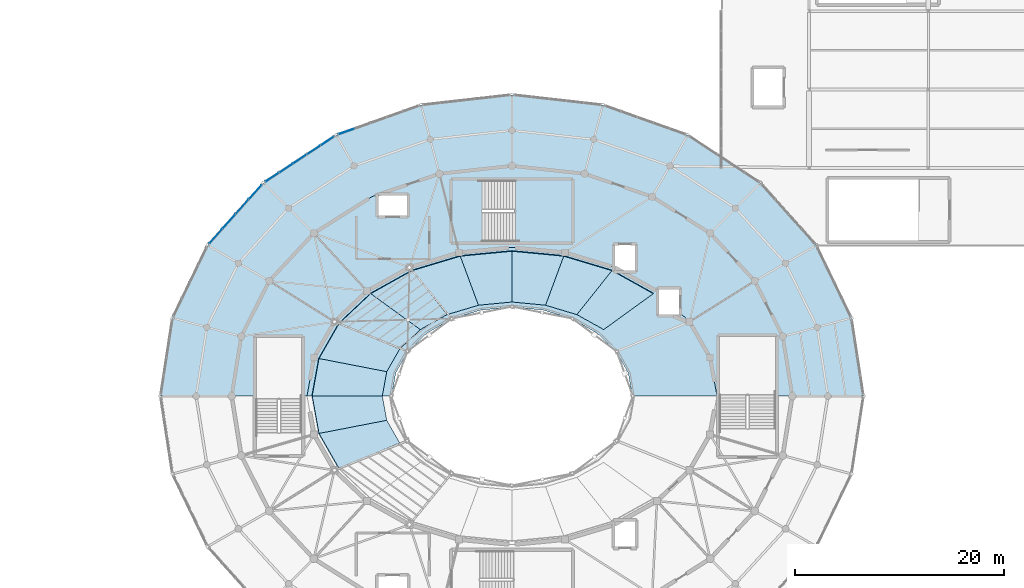
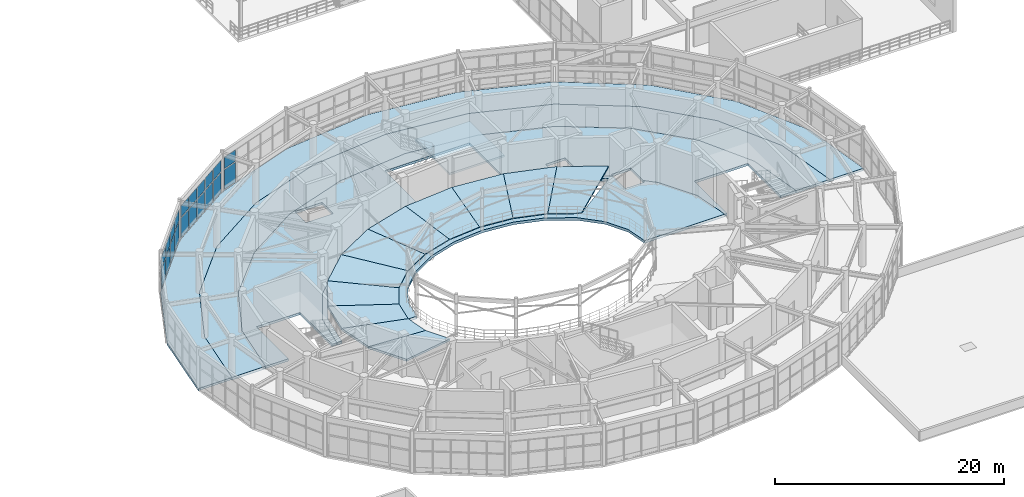
# One storey, part 75 of 112: 20 plates, 16 slabs, 4 elements without a shape of their own.
"""IFC4 building model written with IfcOpenShell, lengths in metres."""

from ifc_helpers import new_model, si_unit, direction, frame, origin, origin_2d, place, context, subcontext, project, spatial, polyline, rectangle, outline, extrude, material, layer, layer_set, type_object, element, aggregate, save


model = new_model("IFC4")

# Units and contexts
model_context = context("Model", 3, precision=1e-05, world=origin(), true_north=direction((0.0, 1.0)))
body_context = subcontext(model_context, "Body", "Model", "MODEL_VIEW")
ifc_project = project(units=[si_unit("LENGTHUNIT", "METRE"), si_unit("AREAUNIT", "SQUARE_METRE"), si_unit("VOLUMEUNIT", "CUBIC_METRE"), si_unit("PLANEANGLEUNIT", "RADIAN"), si_unit("MASSUNIT", "GRAM", prefix="KILO")], contexts=[model_context])

# Site, building, storey
site_placement = place(None, origin())
site = spatial("IfcSite", under=ifc_project, at=site_placement, CompositionType="ELEMENT")
building_placement = place(site_placement, origin())
building = spatial("IfcBuilding", under=site, at=building_placement, Name="Cinderbank Siding Concert Hall", CompositionType="ELEMENT")
storey_placement = place(building_placement, frame((0.0, 0.0, 10.199951171875)))
storey = spatial("IfcBuildingStorey", under=building, at=storey_placement, Name="L03", CompositionType="ELEMENT", Elevation=10.199951171875)

# Curtain wall, plates
ifc_material_1 = material(Name="Anodised aluminium alloy 6063-T6", Category="aluminium")
curtain_wall_type_1 = type_object("IfcCurtainWallType", Name="CW-08 Unitised Acoustic Curtain Wall 6400x3800", PredefinedType="NOTDEFINED", material=ifc_material_1)
curtain_wall_1_placement = place(storey_placement, origin())
curtain_wall_1 = element("IfcCurtainWall", 1, at=curtain_wall_1_placement, inside=storey, type_object=curtain_wall_type_1, Name="L03 Curtain Wall CW-08 #32", PredefinedType="NOTDEFINED")
ifc_material_2 = material(Name="Double-glazed laminated acoustic glass", Category="glass")
ifc_layer_1 = layer(ifc_material_2, 0.035888671875)
ifc_layer_set_1 = layer_set([ifc_layer_1], Name="Double-glazed laminated acoustic glass")
plate_type_1 = type_object("IfcPlateType", Name="CP-01 Glazed Curtain Panel 1800x2200", PredefinedType="CURTAIN_PANEL", material=ifc_layer_set_1)
plate_1_placement = place(storey_placement, frame((106.181396484375, 69.2900390625, 0.1201171875), z_axis=(0.0, 0.0, 1.0), x_axis=(-0.942365662238, -0.334584755532, 0.0)))
plate_1 = element("IfcPlate", 2, at=plate_1_placement, type_object=plate_type_1, Name="CW-L03-032 Glazed Panel 4-0", PredefinedType="CURTAIN_PANEL", context=body_context, shape_type="SweptSolid", body=[
    extrude(rectangle(XDim=1.529052734375, YDim=0.035888671875, at=origin_2d()), origin(), (0.0, 0.0, 1.0), 2.093505859375),
])
plate_2_placement = place(storey_placement, frame((106.181396484375, 69.2900390625, 2.333740234375), z_axis=(0.0, 0.0, 1.0), x_axis=(-0.942365662238, -0.334584755532, 0.0)))
plate_2 = element("IfcPlate", 3, at=plate_2_placement, type_object=plate_type_1, Name="CW-L03-032 Glazed Panel 4-1", PredefinedType="CURTAIN_PANEL", context=body_context, shape_type="SweptSolid", body=[
    extrude(rectangle(XDim=1.529052734375, YDim=0.035888671875, at=origin_2d()), origin(), (0.0, 0.0, 1.0), 1.21337890625),
])
aggregate(curtain_wall_1, [plate_1, plate_2])

curtain_wall_type_2 = type_object("IfcCurtainWallType", Name="CW-09 Unitised Acoustic Curtain Wall 8000x3500", PredefinedType="NOTDEFINED", material=ifc_material_1)
curtain_wall_2_placement = place(storey_placement, origin())
curtain_wall_2 = element("IfcCurtainWall", 4, at=curtain_wall_2_placement, inside=storey, type_object=curtain_wall_type_2, Name="L03 Curtain Wall CW-09 #33", PredefinedType="NOTDEFINED")
ifc_layer_2 = layer(ifc_material_2, 0.035888671875)
ifc_layer_set_2 = layer_set([ifc_layer_2], Name="Double-glazed laminated acoustic glass")
plate_type_2 = type_object("IfcPlateType", Name="CP-02 Glazed Curtain Panel 1800x1900", PredefinedType="CURTAIN_PANEL", material=ifc_layer_set_2)
plate_3_placement = place(storey_placement, frame((104.352294921875, 68.384033203125, 0.1201171875), z_axis=(0.0, 0.0, 1.0), x_axis=(-0.835491932304, -0.549502712509, 0.0)))
plate_3 = element("IfcPlate", 5, at=plate_3_placement, type_object=plate_type_2, Name="CW-L03-033 Glazed Panel 0-0", PredefinedType="CURTAIN_PANEL", context=body_context, shape_type="SweptSolid", body=[
    extrude(rectangle(XDim=1.47509765625, YDim=0.035888671875, at=origin_2d()), origin(), (0.0, 0.0, 1.0), 2.093505859375),
])
plate_4_placement = place(storey_placement, frame((104.352294921875, 68.384033203125, 2.333740234375), z_axis=(0.0, 0.0, 1.0), x_axis=(-0.835491932304, -0.549502712509, 0.0)))
plate_4 = element("IfcPlate", 6, at=plate_4_placement, type_object=plate_type_2, Name="CW-L03-033 Glazed Panel 0-1", PredefinedType="CURTAIN_PANEL", context=body_context, shape_type="SweptSolid", body=[
    extrude(rectangle(XDim=1.47509765625, YDim=0.035888671875, at=origin_2d()), origin(), (0.0, 0.0, 1.0), 1.21337890625),
])
plate_5_placement = place(storey_placement, frame((103.03662109375, 67.5185546875, 0.1201171875), z_axis=(0.0, 0.0, 1.0), x_axis=(-0.835491932304, -0.549502712509, 0.0)))
plate_5 = element("IfcPlate", 7, at=plate_5_placement, type_object=plate_type_2, Name="CW-L03-033 Glazed Panel 1-0", PredefinedType="CURTAIN_PANEL", context=body_context, shape_type="SweptSolid", body=[
    extrude(rectangle(XDim=1.47509765625, YDim=0.035888671875, at=origin_2d()), origin(), (0.0, 0.0, 1.0), 2.093505859375),
])
plate_6_placement = place(storey_placement, frame((103.03662109375, 67.5185546875, 2.333740234375), z_axis=(0.0, 0.0, 1.0), x_axis=(-0.835491932304, -0.549502712509, 0.0)))
plate_6 = element("IfcPlate", 8, at=plate_6_placement, type_object=plate_type_2, Name="CW-L03-033 Glazed Panel 1-1", PredefinedType="CURTAIN_PANEL", context=body_context, shape_type="SweptSolid", body=[
    extrude(rectangle(XDim=1.47509765625, YDim=0.035888671875, at=origin_2d()), origin(), (0.0, 0.0, 1.0), 1.21337890625),
])
plate_7_placement = place(storey_placement, frame((101.720703125, 66.653076171875, 0.1201171875), z_axis=(0.0, 0.0, 1.0), x_axis=(-0.835491932304, -0.549502712509, 0.0)))
plate_7 = element("IfcPlate", 9, at=plate_7_placement, type_object=plate_type_2, Name="CW-L03-033 Glazed Panel 2-0", PredefinedType="CURTAIN_PANEL", context=body_context, shape_type="SweptSolid", body=[
    extrude(rectangle(XDim=1.47509765625, YDim=0.035888671875, at=origin_2d()), origin(), (0.0, 0.0, 1.0), 2.093505859375),
])
plate_8_placement = place(storey_placement, frame((101.720703125, 66.653076171875, 2.333740234375), z_axis=(0.0, 0.0, 1.0), x_axis=(-0.835491932304, -0.549502712509, 0.0)))
plate_8 = element("IfcPlate", 10, at=plate_8_placement, type_object=plate_type_2, Name="CW-L03-033 Glazed Panel 2-1", PredefinedType="CURTAIN_PANEL", context=body_context, shape_type="SweptSolid", body=[
    extrude(rectangle(XDim=1.47509765625, YDim=0.035888671875, at=origin_2d()), origin(), (0.0, 0.0, 1.0), 1.21337890625),
])
plate_9_placement = place(storey_placement, frame((100.40478515625, 65.78759765625, 0.1201171875), z_axis=(0.0, 0.0, 1.0), x_axis=(-0.835491932304, -0.549502712509, 0.0)))
plate_9 = element("IfcPlate", 11, at=plate_9_placement, type_object=plate_type_2, Name="CW-L03-033 Glazed Panel 3-0", PredefinedType="CURTAIN_PANEL", context=body_context, shape_type="SweptSolid", body=[
    extrude(rectangle(XDim=1.47509765625, YDim=0.035888671875, at=origin_2d()), origin(), (0.0, 0.0, 1.0), 2.093505859375),
])
plate_10_placement = place(storey_placement, frame((100.40478515625, 65.78759765625, 2.333740234375), z_axis=(0.0, 0.0, 1.0), x_axis=(-0.835491932304, -0.549502712509, 0.0)))
plate_10 = element("IfcPlate", 12, at=plate_10_placement, type_object=plate_type_2, Name="CW-L03-033 Glazed Panel 3-1", PredefinedType="CURTAIN_PANEL", context=body_context, shape_type="SweptSolid", body=[
    extrude(rectangle(XDim=1.47509765625, YDim=0.035888671875, at=origin_2d()), origin(), (0.0, 0.0, 1.0), 1.21337890625),
])
plate_11_placement = place(storey_placement, frame((99.0888671875, 64.922119140625, 0.1201171875), z_axis=(0.0, 0.0, 1.0), x_axis=(-0.835491932304, -0.549502712509, 0.0)))
plate_11 = element("IfcPlate", 13, at=plate_11_placement, type_object=plate_type_2, Name="CW-L03-033 Glazed Panel 4-0", PredefinedType="CURTAIN_PANEL", context=body_context, shape_type="SweptSolid", body=[
    extrude(rectangle(XDim=1.47509765625, YDim=0.035888671875, at=origin_2d()), origin(), (0.0, 0.0, 1.0), 2.093505859375),
])
plate_12_placement = place(storey_placement, frame((99.0888671875, 64.922119140625, 2.333740234375), z_axis=(0.0, 0.0, 1.0), x_axis=(-0.835491932304, -0.549502712509, 0.0)))
plate_12 = element("IfcPlate", 14, at=plate_12_placement, type_object=plate_type_2, Name="CW-L03-033 Glazed Panel 4-1", PredefinedType="CURTAIN_PANEL", context=body_context, shape_type="SweptSolid", body=[
    extrude(rectangle(XDim=1.47509765625, YDim=0.035888671875, at=origin_2d()), origin(), (0.0, 0.0, 1.0), 1.21337890625),
])
aggregate(curtain_wall_2, [plate_3, plate_4, plate_5, plate_6, plate_7, plate_8, plate_9, plate_10, plate_11, plate_12])

curtain_wall_type_3 = type_object("IfcCurtainWallType", Name="CW-10 Unitised Acoustic Curtain Wall 7200x3500", PredefinedType="NOTDEFINED", material=ifc_material_1)
curtain_wall_3_placement = place(storey_placement, origin())
curtain_wall_3 = element("IfcCurtainWall", 15, at=curtain_wall_3_placement, inside=storey, type_object=curtain_wall_type_3, Name="L03 Curtain Wall CW-10 #34", PredefinedType="NOTDEFINED")
ifc_layer_3 = layer(ifc_material_2, 0.035888671875)
ifc_layer_set_3 = layer_set([ifc_layer_3], Name="Double-glazed laminated acoustic glass")
plate_type_3 = type_object("IfcPlateType", Name="CP-03 Glazed Curtain Panel 1600x2100", PredefinedType="CURTAIN_PANEL", material=ifc_layer_set_3)
plate_13_placement = place(storey_placement, frame((97.460205078125, 63.4921875, 0.1201171875), z_axis=(0.0, 0.0, 1.0), x_axis=(-0.666993465338, -0.745063565877, 0.0)))
plate_13 = element("IfcPlate", 16, at=plate_13_placement, type_object=plate_type_3, Name="CW-L03-034 Glazed Panel 0-0", PredefinedType="CURTAIN_PANEL", context=body_context, shape_type="SweptSolid", body=[
    extrude(rectangle(XDim=1.787841796875, YDim=0.035888671875, at=origin_2d()), origin(), (0.0, 0.0, 1.0), 2.093505859375),
])
plate_14_placement = place(storey_placement, frame((97.460205078125, 63.4921875, 2.333740234375), z_axis=(0.0, 0.0, 1.0), x_axis=(-0.666993465338, -0.745063565877, 0.0)))
plate_14 = element("IfcPlate", 17, at=plate_14_placement, type_object=plate_type_3, Name="CW-L03-034 Glazed Panel 0-1", PredefinedType="CURTAIN_PANEL", context=body_context, shape_type="SweptSolid", body=[
    extrude(rectangle(XDim=1.787841796875, YDim=0.035888671875, at=origin_2d()), origin(), (0.0, 0.0, 1.0), 1.21337890625),
])
plate_15_placement = place(storey_placement, frame((96.200927734375, 62.085693359375, 0.1201171875), z_axis=(0.0, 0.0, 1.0), x_axis=(-0.666993465338, -0.745063565877, 0.0)))
plate_15 = element("IfcPlate", 18, at=plate_15_placement, type_object=plate_type_3, Name="CW-L03-034 Glazed Panel 1-0", PredefinedType="CURTAIN_PANEL", context=body_context, shape_type="SweptSolid", body=[
    extrude(rectangle(XDim=1.787841796875, YDim=0.035888671875, at=origin_2d()), origin(), (0.0, 0.0, 1.0), 2.093505859375),
])
plate_16_placement = place(storey_placement, frame((96.200927734375, 62.085693359375, 2.333740234375), z_axis=(0.0, 0.0, 1.0), x_axis=(-0.666993465338, -0.745063565877, 0.0)))
plate_16 = element("IfcPlate", 19, at=plate_16_placement, type_object=plate_type_3, Name="CW-L03-034 Glazed Panel 1-1", PredefinedType="CURTAIN_PANEL", context=body_context, shape_type="SweptSolid", body=[
    extrude(rectangle(XDim=1.787841796875, YDim=0.035888671875, at=origin_2d()), origin(), (0.0, 0.0, 1.0), 1.21337890625),
])
plate_17_placement = place(storey_placement, frame((94.941650390625, 60.678955078125, 0.1201171875), z_axis=(0.0, 0.0, 1.0), x_axis=(-0.666993465338, -0.745063565877, 0.0)))
plate_17 = element("IfcPlate", 20, at=plate_17_placement, type_object=plate_type_3, Name="CW-L03-034 Glazed Panel 2-0", PredefinedType="CURTAIN_PANEL", context=body_context, shape_type="SweptSolid", body=[
    extrude(rectangle(XDim=1.787841796875, YDim=0.035888671875, at=origin_2d()), origin(), (0.0, 0.0, 1.0), 2.093505859375),
])
plate_18_placement = place(storey_placement, frame((94.941650390625, 60.678955078125, 2.333740234375), z_axis=(0.0, 0.0, 1.0), x_axis=(-0.666993465338, -0.745063565877, 0.0)))
plate_18 = element("IfcPlate", 21, at=plate_18_placement, type_object=plate_type_3, Name="CW-L03-034 Glazed Panel 2-1", PredefinedType="CURTAIN_PANEL", context=body_context, shape_type="SweptSolid", body=[
    extrude(rectangle(XDim=1.787841796875, YDim=0.035888671875, at=origin_2d()), origin(), (0.0, 0.0, 1.0), 1.21337890625),
])
plate_19_placement = place(storey_placement, frame((93.6826171875, 59.2724609375, 0.1201171875), z_axis=(0.0, 0.0, 1.0), x_axis=(-0.666993465338, -0.745063565877, 0.0)))
plate_19 = element("IfcPlate", 22, at=plate_19_placement, type_object=plate_type_3, Name="CW-L03-034 Glazed Panel 3-0", PredefinedType="CURTAIN_PANEL", context=body_context, shape_type="SweptSolid", body=[
    extrude(rectangle(XDim=1.787841796875, YDim=0.035888671875, at=origin_2d()), origin(), (0.0, 0.0, 1.0), 2.093505859375),
])
plate_20_placement = place(storey_placement, frame((93.6826171875, 59.2724609375, 2.333740234375), z_axis=(0.0, 0.0, 1.0), x_axis=(-0.666993465338, -0.745063565877, 0.0)))
plate_20 = element("IfcPlate", 23, at=plate_20_placement, type_object=plate_type_3, Name="CW-L03-034 Glazed Panel 3-1", PredefinedType="CURTAIN_PANEL", context=body_context, shape_type="SweptSolid", body=[
    extrude(rectangle(XDim=1.787841796875, YDim=0.035888671875, at=origin_2d()), origin(), (0.0, 0.0, 1.0), 1.21337890625),
])
aggregate(curtain_wall_3, [plate_13, plate_14, plate_15, plate_16, plate_17, plate_18, plate_19, plate_20])

# Stair, slab
ifc_material_3 = material(Name="Reinforced concrete AS 3600 N50 (50 MPa)", Category="concrete")
stair_type = type_object("IfcStairType", Name="STR-J Dogleg Exit Stair 2850mm", PredefinedType="HALF_TURN_STAIR", material=ifc_material_3)
stair_placement = place(storey_placement, origin())
stair = element("IfcStair", 24, at=stair_placement, inside=storey, type_object=stair_type, Name="L03 Fire-isolated Exit Stair ST-01", PredefinedType="HALF_TURN_STAIR")
ifc_layer_4 = layer(ifc_material_3, 0.199951171875)
ifc_layer_set_4 = layer_set([ifc_layer_4], Name="Reinforced concrete AS 3600 N50 (50 MPa)")
slab_type_1 = type_object("IfcSlabType", Name="LD-02 Slab 200mm", PredefinedType="LANDING", material=ifc_layer_set_4)
slab_1_placement = place(storey_placement, frame((0.0, 0.0, 2.050048828125)))
slab_1 = element("IfcSlab", 25, at=slab_1_placement, type_object=slab_type_1, Name="ST-01 landing 1", PredefinedType="LANDING", context=body_context, shape_type="SweptSolid", body=[
    extrude(outline(polyline([(122.260009765625, 58.669921875), (122.260009765625, 64.68994140625), (127.780029296875, 64.68994140625), (127.780029296875, 58.669921875), (122.260009765625, 58.669921875)])), origin(), (0.0, 0.0, 1.0), 0.199951171875),
])
aggregate(stair, [slab_1])

# Slabs
ifc_layer_5 = layer(ifc_material_3, 0.280029296875)
ifc_layer_set_5 = layer_set([ifc_layer_5], Name="Reinforced concrete AS 3600 N50 (50 MPa)")
slab_type_2 = type_object("IfcSlabType", Name="SL-02 Slab 280mm", PredefinedType="FLOOR", material=ifc_layer_set_5)
slab_2_placement = place(storey_placement, frame((0.0, 0.0, -0.280029296875)))
element("IfcSlab", 26, at=slab_2_placement, inside=storey, type_object=slab_type_2, Name="L03 Upper Circle Structural Ring North", PredefinedType="FLOOR", context=body_context, shape_type="SweptSolid", body=[
    extrude(outline(polyline([(108.140625, 54.041015625), (112.199951171875, 56.297607421875), (116.927001953125, 57.716064453125), (122.0, 58.199951171875), (127.072998046875, 57.716064453125), (131.800048828125, 56.297607421875), (131.820068359375, 55.969970703125), (132.389404296875, 55.969970703125), (135.859375, 54.041015625), (136.02001953125, 53.88916015625), (136.02001953125, 51.77001953125), (137.97998046875, 51.77001953125), (137.97998046875, 52.03857421875), (138.97412109375, 51.10009765625), (140.93212890625, 47.67529296875), (141.598876953125, 44.006103515625), (133.498779296875, 44.006103515625), (133.108154296875, 46.199951171875), (131.959228515625, 48.25), (130.131591796875, 50.010498046875), (127.75, 51.361083984375), (124.976318359375, 52.21044921875), (122.0, 52.5), (119.023681640625, 52.21044921875), (116.25, 51.361083984375), (113.868408203125, 50.010498046875), (112.040771484375, 48.25), (110.891845703125, 46.199951171875), (110.501220703125, 44.006103515625), (109.60302734375, 44.006103515625), (110.0244140625, 46.324462890625), (111.262939453125, 48.490478515625), (113.233154296875, 50.350830078125), (115.80078125, 51.7783203125), (118.791015625, 52.675537109375), (122.0, 52.981689453125), (125.208984375, 52.675537109375), (128.19921875, 51.7783203125), (130.768310546875, 50.35009765625), (135.509521484375, 53.784912109375), (131.549560546875, 55.986328125), (126.9462890625, 57.367919921875), (122.001953125, 57.840087890625), (117.0537109375, 57.367919921875), (112.446533203125, 55.98486328125), (108.490478515625, 53.784912109375), (105.455322265625, 50.918212890625), (103.547607421875, 47.580078125), (102.899169921875, 44.006103515625), (102.401123046875, 44.006103515625), (103.06787109375, 47.67529296875), (105.02587890625, 51.10009765625), (108.140625, 54.041015625)])), origin(), (0.0, 0.0, 1.0), 0.280029296875),
])
slab_3_placement = place(storey_placement, frame((0.0, 0.0, -0.280029296875)))
element("IfcSlab", 27, at=slab_3_placement, inside=storey, type_object=slab_type_2, Name="L03 Upper Circle Inner Foyer North", PredefinedType="FLOOR", context=body_context, shape_type="SweptSolid", body=[
    extrude(outline(polyline([(92.8291015625, 50.573974609375), (95.845947265625, 56.699951171875), (100.6455078125, 61.96044921875), (106.89990234375, 65.9970703125), (114.18359375, 68.534423828125), (122.0, 69.39990234375), (129.81640625, 68.534423828125), (137.10009765625, 65.9970703125), (143.3544921875, 61.96044921875), (148.154052734375, 56.699951171875), (151.1708984375, 50.573974609375), (152.19921875, 44.006103515625), (148.799072265625, 44.006103515625), (147.88671875, 49.694091796875), (145.20947265625, 55.0), (140.950439453125, 59.556396484375), (135.39990234375, 63.052490234375), (128.936279296875, 65.25048828125), (122.0, 66.0), (115.063720703125, 65.25048828125), (108.60009765625, 63.052490234375), (103.049560546875, 59.556396484375), (98.79052734375, 55.0), (96.11328125, 49.694091796875), (95.200927734375, 44.006103515625), (91.80078125, 44.006103515625), (92.8291015625, 50.573974609375)])), origin(), (0.0, 0.0, 1.0), 0.280029296875),
])
ifc_layer_6 = layer(ifc_material_3, 0.25)
ifc_layer_set_6 = layer_set([ifc_layer_6], Name="Reinforced concrete AS 3600 N50 (50 MPa)")
slab_type_3 = type_object("IfcSlabType", Name="SL-04 Slab 250mm", PredefinedType="FLOOR", material=ifc_layer_set_6)
slab_4_placement = place(storey_placement, frame((0.0, 0.0, -0.25)))
element("IfcSlab", 28, at=slab_4_placement, inside=storey, type_object=slab_type_3, Name="L03 Upper Acoustic Lock Ring North", PredefinedType="FLOOR", context=body_context, shape_type="SweptSolid", body=[
    extrude(outline(polyline([(122.0, 66.0), (128.936279296875, 65.25048828125), (135.39990234375, 63.052490234375), (140.950439453125, 59.556396484375), (145.20947265625, 55.0), (147.88671875, 49.694091796875), (148.799072265625, 44.006103515625), (147.219970703125, 44.006103515625), (147.219970703125, 49.719970703125), (141.820068359375, 49.719970703125), (141.820068359375, 44.006103515625), (141.598876953125, 44.006103515625), (140.93212890625, 47.67529296875), (138.97412109375, 51.10009765625), (137.97998046875, 52.03857421875), (137.97998046875, 54.22998046875), (136.02001953125, 54.22998046875), (136.02001953125, 53.88916015625), (135.859375, 54.041015625), (132.389404296875, 55.969970703125), (133.780029296875, 55.969970703125), (133.780029296875, 58.429931640625), (131.820068359375, 58.429931640625), (131.820068359375, 56.28662109375), (127.072998046875, 57.716064453125), (122.0, 58.199951171875), (116.927001953125, 57.716064453125), (112.199951171875, 56.297607421875), (108.140625, 54.041015625), (105.02587890625, 51.10009765625), (103.06787109375, 47.67529296875), (102.401123046875, 44.006103515625), (101.919921875, 44.006103515625), (101.919921875, 49.6201171875), (97.52001953125, 49.6201171875), (97.52001953125, 44.006103515625), (95.200927734375, 44.006103515625), (96.11328125, 49.694091796875), (98.79052734375, 55.0), (103.049560546875, 59.556396484375), (108.60009765625, 63.052490234375), (115.063720703125, 65.25048828125), (122.0, 66.0)]), holes=[polyline([(119.14990234375, 58.75), (127.699951171875, 58.75), (127.699951171875, 64.610107421875), (119.14990234375, 64.610107421875), (119.14990234375, 58.75)]), polyline([(111.97998046875, 61.219970703125), (111.97998046875, 63.179931640625), (109.219970703125, 63.179931640625), (109.219970703125, 61.219970703125), (111.97998046875, 61.219970703125)])]), origin(), (0.0, 0.0, 1.0), 0.25),
])
ifc_layer_7 = layer(ifc_material_3, 0.239990234375)
ifc_layer_set_7 = layer_set([ifc_layer_7], Name="Reinforced concrete AS 3600 N50 (50 MPa)")
slab_type_4 = type_object("IfcSlabType", Name="SL-06 Slab 240mm", PredefinedType="FLOOR", material=ifc_layer_set_7)
slab_5_placement = place(storey_placement, frame((0.0, 0.0, -0.239990234375)))
element("IfcSlab", 29, at=slab_5_placement, inside=storey, type_object=slab_type_4, Name="L03 Upper Circle Outer Foyer North", PredefinedType="FLOOR", context=body_context, shape_type="SweptSolid", body=[
    extrude(outline(polyline([(89.544921875, 51.4541015625), (92.901611328125, 58.39990234375), (98.2412109375, 64.36474609375), (105.199951171875, 68.94140625), (113.3037109375, 71.818603515625), (122.0, 72.800048828125), (130.6962890625, 71.818603515625), (138.800048828125, 68.94140625), (145.7587890625, 64.36474609375), (151.098388671875, 58.39990234375), (154.455078125, 51.4541015625), (155.59912109375, 44.006103515625), (152.19921875, 44.006103515625), (151.1708984375, 50.573974609375), (148.154052734375, 56.699951171875), (143.3544921875, 61.96044921875), (137.10009765625, 65.9970703125), (129.81640625, 68.534423828125), (122.0, 69.39990234375), (114.18359375, 68.534423828125), (106.89990234375, 65.9970703125), (100.6455078125, 61.96044921875), (95.845947265625, 56.699951171875), (92.8291015625, 50.573974609375), (91.80078125, 44.006103515625), (88.40087890625, 44.006103515625), (89.544921875, 51.4541015625)])), origin(), (0.0, 0.0, 1.0), 0.239990234375),
])
ifc_material_4 = material(Name="Precast concrete AS 3600 N50 (50 MPa)", Category="concrete")
ifc_layer_8 = layer(ifc_material_4, 0.199951171875)
ifc_layer_set_8 = layer_set([ifc_layer_8], Name="Precast concrete AS 3600 N50 (50 MPa)")
slab_type_5 = type_object("IfcSlabType", Name="ST-TIER3 Slab 200mm", PredefinedType="USERDEFINED", material=ifc_layer_set_8)
slab_6_placement = place(storey_placement, frame((130.76806640625, 50.352294921875, 0.050048828125), z_axis=(-0.11571152016, -0.208140527108, 0.971230335748), x_axis=(-0.874012572706, 0.48590330596, 2.931127e-06)))
element("IfcSlab", 30, at=slab_6_placement, inside=storey, type_object=slab_type_5, Name="Stand Main Concert Hall Upper Circle Tier Bay 04", ObjectType="SEATING TIER", PredefinedType="USERDEFINED", context=body_context, shape_type="SweptSolid", body=[
    extrude(outline(polyline([(0.0, 0.0), (2.938305855847374, 0.0), (2.0529504141753803, -5.459106541110697), (-2.472753389478904, -5.459198410484832), (0.0, 0.0)])), origin(), (0.0, 0.0, -1.0), 0.199951171875),
])
slab_7_placement = place(storey_placement, frame((128.199951171875, 51.780029296875, 0.050048828125), z_axis=(-0.072472771881, -0.241508643755, 0.967688623643), x_axis=(-0.957798681529, 0.287439881778, 5.053955e-06)))
element("IfcSlab", 31, at=slab_7_placement, inside=storey, type_object=slab_type_5, Name="Stand Main Concert Hall Upper Circle Tier Bay 05", ObjectType="SEATING TIER", PredefinedType="USERDEFINED", context=body_context, shape_type="SweptSolid", body=[
    extrude(outline(polyline([(0.0, 0.0), (3.122242445180576, 0.0), (2.809259927026141, -5.155834935676629), (-2.0003562674050155, -5.155993918592421), (0.0, 0.0)])), origin(), (0.0, 0.0, -1.0), 0.199951171875),
])
slab_8_placement = place(storey_placement, frame((125.20947265625, 52.677490234375, 0.050048828125), z_axis=(-0.024674323938, -0.258623469425, 0.965663025491), x_axis=(-0.995481064675, 0.094960254092, -4.00957e-06)))
element("IfcSlab", 32, at=slab_8_placement, inside=storey, type_object=slab_type_5, Name="Stand Main Concert Hall Upper Circle Tier Bay 06", ObjectType="SEATING TIER", PredefinedType="USERDEFINED", context=body_context, shape_type="SweptSolid", body=[
    extrude(outline(polyline([(0.0, 0.0), (3.22404156124279, 5.551115123125783e-17), (3.6849969765634825, -5.004135405942396), (-1.2808145001082778, -5.0040090084863955), (0.0, 0.0)])), origin(), (0.0, 0.0, -1.0), 0.199951171875),
])
slab_9_placement = place(storey_placement, frame((122.0, 52.983642578125, 0.050048828125), z_axis=(0.024674323938, -0.258623469425, 0.965663025491), x_axis=(-0.995481064675, -0.094960254092, 4.00957e-06)))
element("IfcSlab", 33, at=slab_9_placement, inside=storey, type_object=slab_type_5, Name="Stand Main Concert Hall Upper Circle Tier Bay 07", ObjectType="SEATING TIER", PredefinedType="USERDEFINED", context=body_context, shape_type="SweptSolid", body=[
    extrude(outline(polyline([(0.0, 0.0), (3.22404156124279, -5.551115123125783e-17), (4.5048560613510675, -5.004009008486396), (-0.4609554153206926, -5.004135405942396), (0.0, 0.0)])), origin(), (0.0, 0.0, -1.0), 0.199951171875),
])
slab_10_placement = place(storey_placement, frame((118.79052734375, 52.677490234375, 0.050048828125), z_axis=(0.072472771881, -0.241508643755, 0.967688623643), x_axis=(-0.957798681529, -0.287439881778, -5.053955e-06)))
element("IfcSlab", 34, at=slab_10_placement, inside=storey, type_object=slab_type_5, Name="Stand Main Concert Hall Upper Circle Tier Bay 08", ObjectType="SEATING TIER", PredefinedType="USERDEFINED", context=body_context, shape_type="SweptSolid", body=[
    extrude(outline(polyline([(0.0, 0.0), (3.122242445180576, 0.0), (5.1225987125855905, -5.155993918592421), (0.3129825181544345, -5.155834935676629), (0.0, 0.0)])), origin(), (0.0, 0.0, -1.0), 0.199951171875),
])
slab_11_placement = place(storey_placement, frame((115.800048828125, 51.780029296875, 0.050048828125), z_axis=(0.11571152016, -0.208140527108, 0.971230335748), x_axis=(-0.874012572706, -0.48590330596, -2.931127e-06)))
element("IfcSlab", 35, at=slab_11_placement, inside=storey, type_object=slab_type_5, Name="Stand Main Concert Hall Upper Circle Tier Bay 09", ObjectType="SEATING TIER", PredefinedType="USERDEFINED", context=body_context, shape_type="SweptSolid", body=[
    extrude(outline(polyline([(0.0, 0.0), (2.938305855847374, 0.0), (5.411059245326279, -5.459198410484832), (0.8853554416719939, -5.459106541110697), (0.0, 0.0)])), origin(), (0.0, 0.0, -1.0), 0.199951171875),
])
slab_12_placement = place(storey_placement, frame((113.23193359375, 50.352294921875, 0.050048828125), z_axis=(0.151439915279, -0.160396459855, 0.975366048069), x_axis=(-0.727127490026, -0.686502449548, 3.652882e-06)))
element("IfcSlab", 36, at=slab_12_placement, inside=storey, type_object=slab_type_5, Name="Stand Main Concert Hall Upper Circle Tier Bay 10", ObjectType="SEATING TIER", PredefinedType="USERDEFINED", context=body_context, shape_type="SweptSolid", body=[
    extrude(outline(polyline([(0.0, 0.0), (2.71025592468109, 2.220446049250313e-16), (5.26292292325285, -5.893352312722409), (1.0883066296163704, -5.893466322134045), (0.0, 0.0)])), origin(), (0.0, 0.0, -1.0), 0.199951171875),
])
slab_13_placement = place(storey_placement, frame((111.26123046875, 48.49169921875, 0.050048828125), z_axis=(0.177013485063, -0.101211134779, 0.978990568036), x_axis=(-0.496370368003, -0.868110855689, 1.801758e-06)))
element("IfcSlab", 37, at=slab_13_placement, inside=storey, type_object=slab_type_5, Name="Stand Main Concert Hall Upper Circle Tier Bay 11", ObjectType="SEATING TIER", PredefinedType="USERDEFINED", context=body_context, shape_type="SweptSolid", body=[
    extrude(outline(polyline([(0.0, 0.0), (2.495654048006005, 0.0), (4.617357379548542, -6.37569990976476), (0.7729466877560845, -6.375755932078703), (0.0, 0.0)])), origin(), (0.0, 0.0, -1.0), 0.199951171875),
])
slab_14_placement = place(storey_placement, frame((110.0224609375, 46.3251953125, 0.050048828125), z_axis=(0.190368313488, -0.034589530714, 0.98110319008), x_axis=(-0.178723635792, -0.98389931493, -9.477542e-06)))
element("IfcSlab", 38, at=slab_14_placement, inside=storey, type_object=slab_type_5, Name="Stand Main Concert Hall Upper Circle Tier Bay 12", ObjectType="SEATING TIER", PredefinedType="USERDEFINED", context=body_context, shape_type="SweptSolid", body=[
    extrude(outline(polyline([(0.0, 0.0), (2.363244376296931, 5.551115123125783e-17), (3.5607153217938396, -6.71928623555551), (-0.0794897961364929, -6.718992166855321), (0.0, 0.0)])), origin(), (0.0, 0.0, -1.0), 0.199951171875),
])
slab_15_placement = place(storey_placement, frame((109.60009765625, 44.0, 0.050048828125), z_axis=(0.190368313488, 0.034589530714, 0.98110319008), x_axis=(0.178723635792, -0.98389931493, 9.477542e-06)))
element("IfcSlab", 39, at=slab_15_placement, inside=storey, type_object=slab_type_5, Name="Stand Main Concert Hall Upper Circle Tier Bay 13", ObjectType="SEATING TIER", PredefinedType="USERDEFINED", context=body_context, shape_type="SweptSolid", body=[
    extrude(outline(polyline([(0.0, 0.0), (2.363244376296931, -5.551115123125783e-17), (2.4427341724334237, -6.718992166855321), (-1.1974709454969092, -6.719286235555509), (0.0, 0.0)])), origin(), (0.0, 0.0, -1.0), 0.199951171875),
])
slab_16_placement = place(storey_placement, frame((110.0224609375, 41.6748046875, 0.050048828125), z_axis=(0.177013485063, 0.101211134779, 0.978990568036), x_axis=(0.496370368003, -0.868110855689, -1.801758e-06)))
element("IfcSlab", 40, at=slab_16_placement, inside=storey, type_object=slab_type_5, Name="Stand Main Concert Hall Upper Circle Tier Bay 14", ObjectType="SEATING TIER", PredefinedType="USERDEFINED", context=body_context, shape_type="SweptSolid", body=[
    extrude(outline(polyline([(0.0, 0.0), (2.495654048006005, 0.0), (1.7227073602499203, -6.375755932078702), (-2.1217033315425375, -6.3756999097647595), (0.0, 0.0)])), origin(), (0.0, 0.0, -1.0), 0.199951171875),
])

save(model, "model.ifc")
